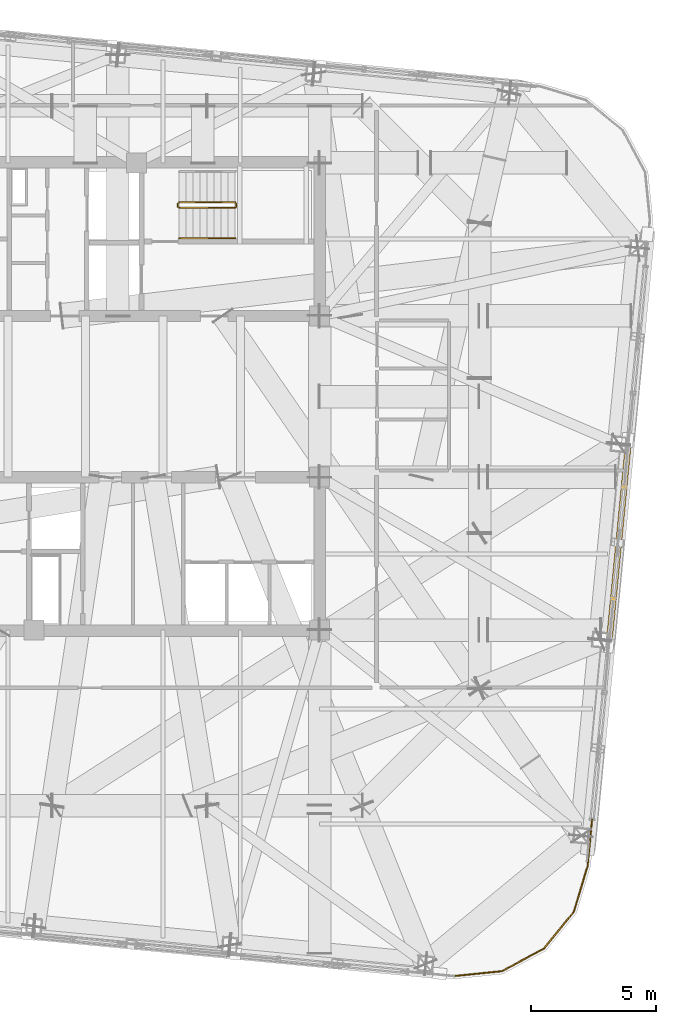
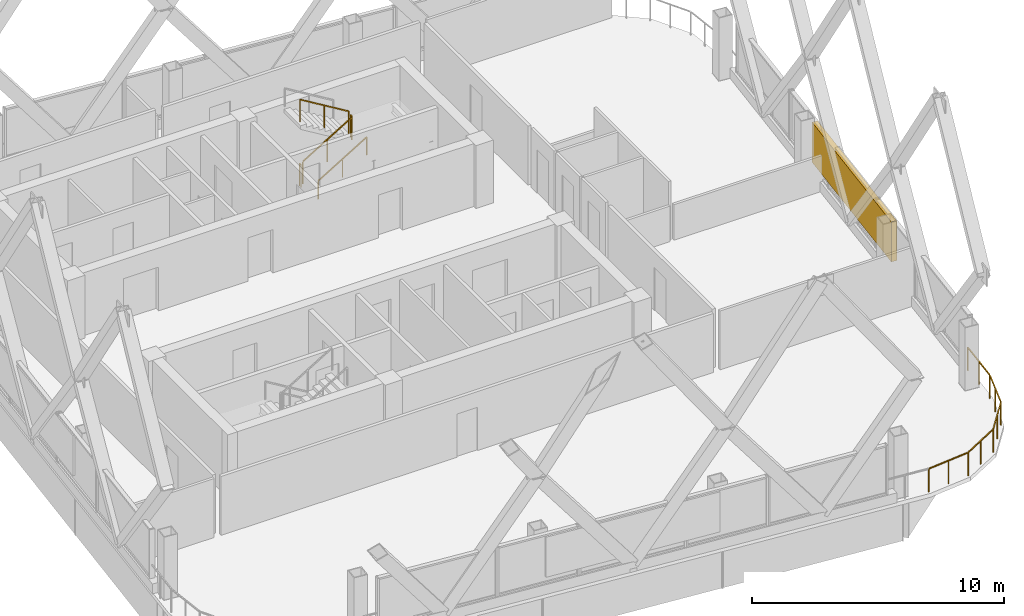
# One storey, part 30 of 31: 6 railings, 1 shading device.
"""IFC4 building model written with IfcOpenShell, lengths in metres."""

from ifc_helpers import new_model, si_unit, direction, frame, origin, origin_2d, place, context, subcontext, project, spatial, rectangle, extrude, material, type_object, element, save


model = new_model("IFC4")

# Units and contexts
model_context = context("Model", 3, precision=1e-05, world=origin(), true_north=direction((0.0, 1.0)))
body_context = subcontext(model_context, "Body", "Model", "MODEL_VIEW")
ifc_project = project(units=[si_unit("LENGTHUNIT", "METRE"), si_unit("AREAUNIT", "SQUARE_METRE"), si_unit("VOLUMEUNIT", "CUBIC_METRE"), si_unit("PLANEANGLEUNIT", "RADIAN"), si_unit("MASSUNIT", "GRAM", prefix="KILO")], contexts=[model_context])

# Site, building, storey
site_placement = place(None, origin())
site = spatial("IfcSite", under=ifc_project, at=site_placement, CompositionType="ELEMENT")
building_placement = place(site_placement, origin())
building = spatial("IfcBuilding", under=site, at=building_placement, Name="Qhalaya Broadcast Tower", CompositionType="ELEMENT")
storey_placement = place(building_placement, frame((0.0, 0.0, 242.85009765625)))
storey = spatial("IfcBuildingStorey", under=building, at=storey_placement, Name="L71", CompositionType="ELEMENT", Elevation=242.85009765625)

# Railings
ifc_material_1 = material(Name="Powder-Coated Galvanised Steel", Category="steel")
railing_type_1 = type_object("IfcRailingType", Name="Stair Wall Handrail 900", PredefinedType="HANDRAIL", material=ifc_material_1)
railing_1_placement = place(storey_placement, frame((3.75, 6.929931640625, 0.16943359375)))
element("IfcRailing", 1, at=railing_1_placement, inside=storey, type_object=railing_type_1, Name="L71 ST-1 Stair Handrail 1", PredefinedType="HANDRAIL", context=body_context, shape_type="SweptSolid", body=[
    extrude(rectangle(XDim=0.048095703125, YDim=0.048095703125, at=origin_2d()), frame((0.0, 0.0, 0.8759765625), z_axis=(0.855553338991, 0.0, 0.51771467445), x_axis=(0.0, 1.0, 0.0)), (0.0, 0.0, 1.0), 2.6181640625),
    extrude(rectangle(XDim=0.0419921875, YDim=0.0419921875, at=origin_2d()), origin(), (0.0, 0.0, 1.0), 0.849853515625),
    extrude(rectangle(XDim=0.0419921875, YDim=0.0419921875, at=origin_2d()), frame((1.1201171875, 0.0, 0.677734375)), (0.0, 0.0, 1.0), 0.849853515625),
    extrude(rectangle(XDim=0.0419921875, YDim=0.0419921875, at=origin_2d()), frame((2.239990234375, 0.0, 1.35546875)), (0.0, 0.0, 1.0), 0.849853515625),
])
railing_type_2 = type_object("IfcRailingType", Name="Stair Well & Landing Guardrail 1100", PredefinedType="GUARDRAIL", material=ifc_material_1)
railing_2_placement = place(storey_placement, frame((3.75, 8.14990234375, 0.16943359375)))
element("IfcRailing", 2, at=railing_2_placement, inside=storey, type_object=railing_type_2, Name="L71 ST-1 Stair Guard 1", PredefinedType="GUARDRAIL", context=body_context, shape_type="SweptSolid", body=[
    extrude(rectangle(XDim=0.048095703125, YDim=0.048095703125, at=origin_2d()), frame((0.0, 0.0, 1.076171875), z_axis=(0.855553338991, 0.0, 0.51771467445), x_axis=(0.0, 1.0, 0.0)), (0.0, 0.0, 1.0), 2.6181640625),
    extrude(rectangle(XDim=0.0419921875, YDim=0.0419921875, at=origin_2d()), origin(), (0.0, 0.0, 1.0), 1.050048828125),
    extrude(rectangle(XDim=0.0419921875, YDim=0.0419921875, at=origin_2d()), frame((1.1201171875, 0.0, 0.677734375)), (0.0, 0.0, 1.0), 1.050048828125),
    extrude(rectangle(XDim=0.0419921875, YDim=0.0419921875, at=origin_2d()), frame((2.239990234375, 0.0, 1.35546875)), (0.0, 0.0, 1.0), 1.050048828125),
])
railing_3_placement = place(storey_placement, frame((6.0400390625, 8.199951171875, 1.52490234375)))
element("IfcRailing", 3, at=railing_3_placement, inside=storey, type_object=railing_type_2, Name="L71 ST-1 Stair Guard 2", PredefinedType="GUARDRAIL", context=body_context, shape_type="SweptSolid", body=[
    extrude(rectangle(XDim=0.048095703125, YDim=0.048095703125, at=origin_2d()), frame((0.0, 0.0, 1.076171875), z_axis=(0.0, 1.0, 0.0), x_axis=(-1.0, 0.0, 0.0)), (0.0, 0.0, 1.0), 0.1201171875),
    extrude(rectangle(XDim=0.0419921875, YDim=0.0419921875, at=origin_2d()), origin(), (0.0, 0.0, 1.0), 1.050048828125),
    extrude(rectangle(XDim=0.0419921875, YDim=0.0419921875, at=origin_2d()), frame((0.0, 0.1201171875, 0.0)), (0.0, 0.0, 1.0), 1.050048828125),
])
railing_4_placement = place(storey_placement, frame((5.989990234375, 8.3701171875, 1.6943359375)))
element("IfcRailing", 4, at=railing_4_placement, inside=storey, type_object=railing_type_2, Name="L71 ST-1 Stair Guard 3", PredefinedType="GUARDRAIL", context=body_context, shape_type="SweptSolid", body=[
    extrude(rectangle(XDim=0.048095703125, YDim=0.048095703125, at=origin_2d()), frame((0.0, 0.0, 1.076171875), z_axis=(-0.855553338991, 0.0, 0.51771467445), x_axis=(0.0, -1.0, 0.0)), (0.0, 0.0, 1.0), 2.6181640625),
    extrude(rectangle(XDim=0.0419921875, YDim=0.0419921875, at=origin_2d()), origin(), (0.0, 0.0, 1.0), 1.050048828125),
    extrude(rectangle(XDim=0.0419921875, YDim=0.0419921875, at=origin_2d()), frame((-1.1201171875, 0.0, 0.677734375)), (0.0, 0.0, 1.0), 1.050048828125),
    extrude(rectangle(XDim=0.0419921875, YDim=0.0419921875, at=origin_2d()), frame((-2.239990234375, 0.0, 1.35546875)), (0.0, 0.0, 1.0), 1.050048828125),
])
railing_5_placement = place(storey_placement, frame((3.699951171875, 8.199951171875, 0.0)))
element("IfcRailing", 5, at=railing_5_placement, inside=storey, type_object=railing_type_2, Name="L71 ST-1 Stair Guard 4", PredefinedType="GUARDRAIL", context=body_context, shape_type="SweptSolid", body=[
    extrude(rectangle(XDim=0.048095703125, YDim=0.048095703125, at=origin_2d()), frame((0.0, 0.0, 1.076171875), z_axis=(0.0, 1.0, 0.0), x_axis=(-1.0, 0.0, 0.0)), (0.0, 0.0, 1.0), 0.1201171875),
    extrude(rectangle(XDim=0.0419921875, YDim=0.0419921875, at=origin_2d()), origin(), (0.0, 0.0, 1.0), 1.050048828125),
    extrude(rectangle(XDim=0.0419921875, YDim=0.0419921875, at=origin_2d()), frame((0.0, 0.1201171875, 0.0)), (0.0, 0.0, 1.0), 1.050048828125),
])
railing_type_3 = type_object("IfcRailingType", Name="Terrace, Sky-Pool & Lookout Glass Balustrade 1150", PredefinedType="BALUSTRADE", material=ifc_material_1)
railing_6_placement = place(storey_placement, frame((20.2958984375, -16.07373046875, 0.0)))
element("IfcRailing", 6, at=railing_6_placement, inside=storey, type_object=railing_type_3, Name="L71 Rounded Corner Perimeter Guard 05", PredefinedType="BALUSTRADE", context=body_context, shape_type="SweptSolid", body=[
    extrude(rectangle(XDim=0.048095703125, YDim=0.048095703125, at=origin_2d()), frame((0.0, 0.0, 1.1259765625), z_axis=(-0.095896889673, -0.995391273094, 0.0), x_axis=(0.995391273094, -0.095896889673, 0.0)), (0.0, 0.0, 1.0), 2.08935546875),
    extrude(rectangle(XDim=0.048095703125, YDim=0.048095703125, at=origin_2d()), frame((-0.21142578125, -2.135986328125, 1.1259765625), z_axis=(-0.288096282124, -0.957601447485, 0.0), x_axis=(0.957601447485, -0.288096282124, 0.0)), (0.0, 0.0, 1.0), 1.857421875),
    extrude(rectangle(XDim=0.048095703125, YDim=0.048095703125, at=origin_2d()), frame((-0.773193359375, -3.96484375, 1.1259765625), z_axis=(-0.63274871945, -0.774357190213, 0.0), x_axis=(0.774357190213, -0.63274871945, 0.0)), (0.0, 0.0, 1.0), 1.845703125),
    extrude(rectangle(XDim=0.048095703125, YDim=0.048095703125, at=origin_2d()), frame((-1.984619140625, -5.429931640625, 1.1259765625), z_axis=(-0.880932037714, -0.473242797018, 0.0), x_axis=(0.473242797018, -0.880932037714, 0.0)), (0.0, 0.0, 1.0), 1.845458984375),
    extrude(rectangle(XDim=0.048095703125, YDim=0.048095703125, at=origin_2d()), frame((-3.66455078125, -6.31982421875, 1.1259765625), z_axis=(-0.994967529225, -0.100197883148, 0.0), x_axis=(0.100197883148, -0.994967529225, 0.0)), (0.0, 0.0, 1.0), 1.88623046875),
    extrude(rectangle(XDim=0.0419921875, YDim=0.0419921875, at=origin_2d()), origin(), (0.0, 0.0, 1.0), 1.099853515625),
    extrude(rectangle(XDim=0.0419921875, YDim=0.0419921875, at=origin_2d()), frame((-0.1015625, -1.05419921875, 0.0)), (0.0, 0.0, 1.0), 1.099853515625),
    extrude(rectangle(XDim=0.0419921875, YDim=0.0419921875, at=origin_2d()), frame((-0.203125, -2.1083984375, 0.0)), (0.0, 0.0, 1.0), 1.099853515625),
    extrude(rectangle(XDim=0.0419921875, YDim=0.0419921875, at=origin_2d()), frame((-0.47900390625, -3.025390625, 0.0)), (0.0, 0.0, 1.0), 1.099853515625),
    extrude(rectangle(XDim=0.0419921875, YDim=0.0419921875, at=origin_2d()), frame((-0.7548828125, -3.9423828125, 0.0)), (0.0, 0.0, 1.0), 1.099853515625),
    extrude(rectangle(XDim=0.0419921875, YDim=0.0419921875, at=origin_2d()), frame((-1.35693359375, -4.67919921875, 0.0)), (0.0, 0.0, 1.0), 1.099853515625),
    extrude(rectangle(XDim=0.0419921875, YDim=0.0419921875, at=origin_2d()), frame((-1.959228515625, -5.416259765625, 0.0)), (0.0, 0.0, 1.0), 1.099853515625),
    extrude(rectangle(XDim=0.0419921875, YDim=0.0419921875, at=origin_2d()), frame((-2.79736328125, -5.86669921875, 0.0)), (0.0, 0.0, 1.0), 1.099853515625),
    extrude(rectangle(XDim=0.0419921875, YDim=0.0419921875, at=origin_2d()), frame((-3.6357421875, -6.31689453125, 0.0)), (0.0, 0.0, 1.0), 1.099853515625),
    extrude(rectangle(XDim=0.0419921875, YDim=0.0419921875, at=origin_2d()), frame((-4.58837890625, -6.412841796875, 0.0)), (0.0, 0.0, 1.0), 1.099853515625),
    extrude(rectangle(XDim=0.0419921875, YDim=0.0419921875, at=origin_2d()), frame((-5.541259765625, -6.5087890625, 0.0)), (0.0, 0.0, 1.0), 1.099853515625),
])

# Shading device
ifc_material_2 = material(Name="Fired Architectural Terracotta", Category="masonry")
shading_device_type = type_object("IfcShadingDeviceType", Name="Terracotta Baguette Solar Screen Assembly TBS-01", PredefinedType="USERDEFINED", material=ifc_material_2)
shading_device_placement = place(storey_placement, frame((21.337646484375, -5.25390625, 0.80078125), z_axis=(0.0, 0.0, 1.0), x_axis=(0.09584575252, 0.995396198367, 0.0)))
element("IfcShadingDevice", 7, at=shading_device_placement, inside=storey, type_object=shading_device_type, Name="L71 Fired Terracotta Baguette Screen E", ObjectType="BAGUETTE", PredefinedType="USERDEFINED", context=body_context, shape_type="SweptSolid", body=[
    extrude(rectangle(XDim=7.60009765625, YDim=0.239990234375, at=origin_2d()), origin(), (0.0, 0.0, 1.0), 1.945068359375),
])

save(model, "model.ifc")
